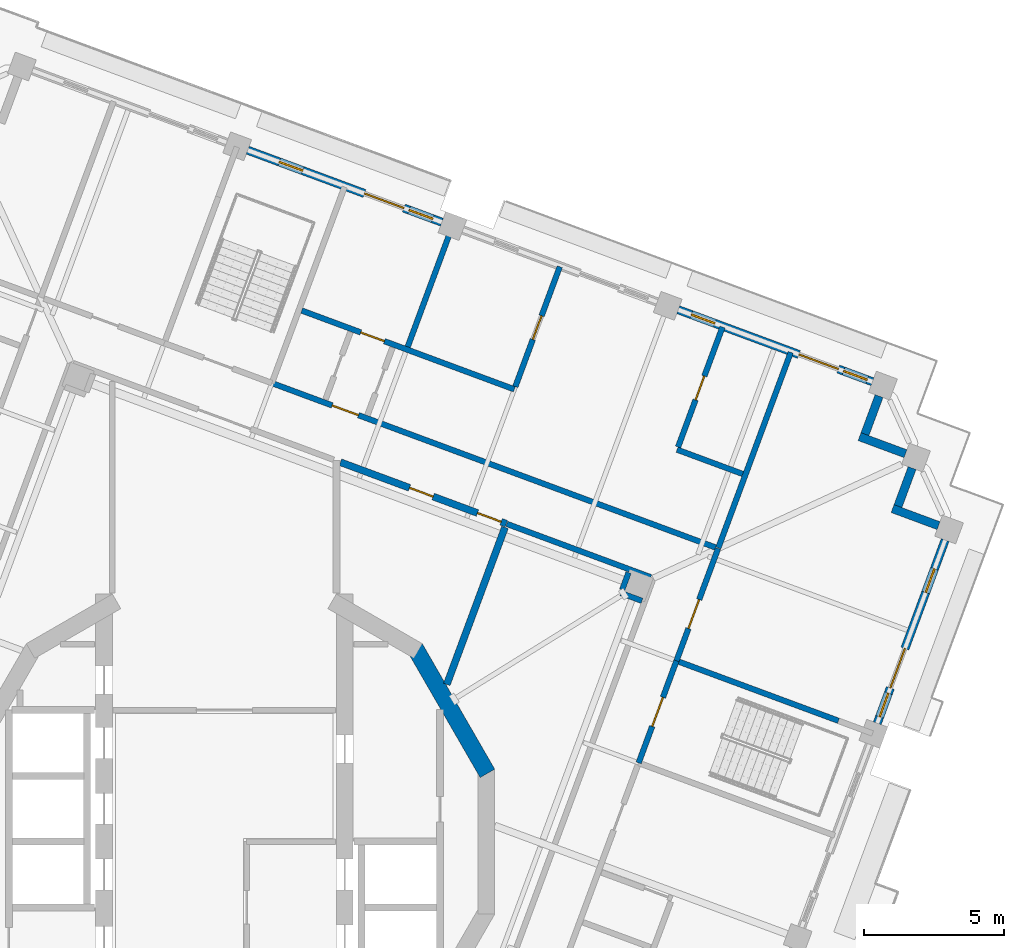
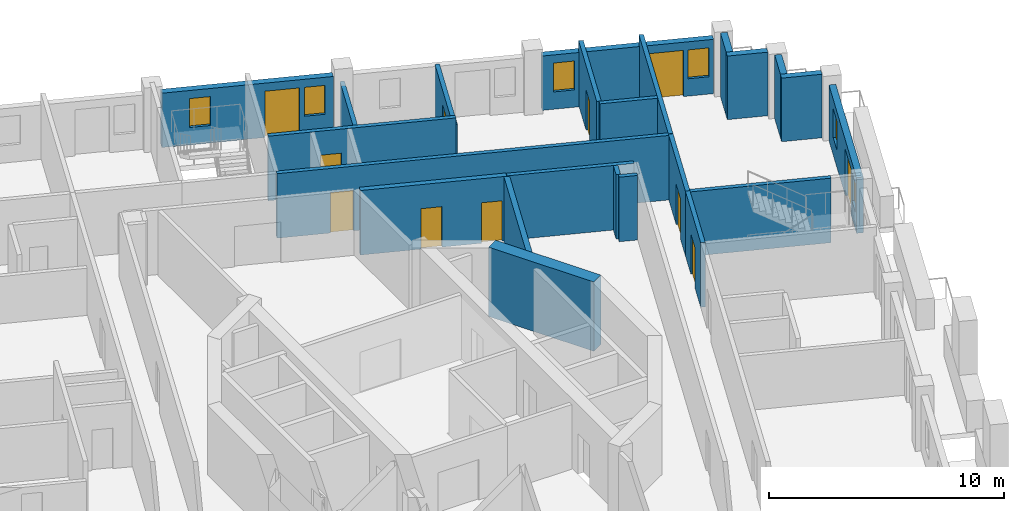
# One storey, part 10 of 19: 23 walls, 11 doors, 6 windows, 17 openings.
"""IFC4 building model written with IfcOpenShell, lengths in metres."""

from ifc_helpers import new_model, si_unit, direction, frame, frame_2d, origin, place, context, subcontext, project, spatial, rectangle, extrude, material, layer, layer_set, type_object, element, fill, save


model = new_model("IFC4")

# Units and contexts
model_context = context("Model", 3, precision=1e-05, world=origin(), true_north=direction((0.0, 1.0)))
body_context = subcontext(model_context, "Body", "Model", "MODEL_VIEW")
ifc_project = project(units=[si_unit("LENGTHUNIT", "METRE"), si_unit("AREAUNIT", "SQUARE_METRE"), si_unit("VOLUMEUNIT", "CUBIC_METRE"), si_unit("PLANEANGLEUNIT", "RADIAN"), si_unit("MASSUNIT", "GRAM", prefix="KILO")], contexts=[model_context])

# Site, building, storey
site_placement = place(None, origin())
site = spatial("IfcSite", under=ifc_project, at=site_placement, CompositionType="ELEMENT")
building_placement = place(site_placement, origin())
building = spatial("IfcBuilding", under=site, at=building_placement, Name="Cantera Rosa Tower", CompositionType="ELEMENT")
storey_placement = place(building_placement, frame((0.0, 0.0, 320.5)))
storey = spatial("IfcBuildingStorey", under=building, at=storey_placement, Name="L71", CompositionType="ELEMENT", Elevation=320.5)

# Wall
ifc_material_1 = material(Name="Gypsum board partition")
ifc_layer_1 = layer(ifc_material_1, 0.199951171875)
ifc_layer_set_1 = layer_set([ifc_layer_1], Name="CORRIDOR WALL 200 H3350")
wall_type_1 = type_object("IfcWallType", Name="CORRIDOR WALL 200 H3350", PredefinedType="PARTITIONING", material=ifc_layer_set_1)
wall_1_placement = place(storey_placement, frame((15.2314453125, 9.446044921875, 0.0), z_axis=(0.0, 0.0, 1.0), x_axis=(-0.93769339426, 0.347463808706, 0.0)))
element("IfcWall", 1, at=wall_1_placement, inside=storey, type_object=wall_type_1, Name="CORRIDOR WALL L71-097", PredefinedType="PARTITIONING", context=body_context, shape_type="SweptSolid", body=[
    extrude(rectangle(XDim=5.47998046875, YDim=0.199951171875, at=frame_2d((2.739990234375, 0.0))), origin(), (0.0, 0.0, 1.0), 3.35009765625),
])

# Wall, opening, door
wall_2_placement = place(storey_placement, frame((16.1513671875, 6.460205078125, 0.0), z_axis=(0.0, 0.0, 1.0), x_axis=(0.347438825371, 0.937702651497, 0.0)))
wall_2 = element("IfcWall", 2, at=wall_2_placement, inside=storey, type_object=wall_type_1, Name="CORRIDOR WALL L71-100", PredefinedType="PARTITIONING", context=body_context, shape_type="SweptSolid", body=[
    extrude(rectangle(XDim=4.280029296875, YDim=0.199951171875, at=frame_2d((2.14013671875, 0.0))), origin(), (0.0, 0.0, 1.0), 3.35009765625),
])
opening_1_placement = place(wall_2_placement, frame((1.22998046875, 0.0, 0.0)))
opening_1 = element("IfcOpeningElement", 3, at=opening_1_placement, cuts=wall_2, Name="Opening L71-046", PredefinedType="OPENING", context=body_context, shape_type="SweptSolid", body=[
    extrude(rectangle(XDim=1.10009765625, YDim=2.10009765625, at=frame_2d((0.550048828125, 1.050048828125))), frame((0.0, 0.10986328125, 0.0), z_axis=(0.0, -1.0, 0.0), x_axis=(1.0, 0.0, 0.0)), (0.0, 0.0, 1.0), 0.219970703125),
])
ifc_material_2 = material(Name="Timber door leaf", Category="wood")
door_type_1 = type_object("IfcDoorType", Name="ROOM DOOR 1100x2100", OperationType="NOTDEFINED", PredefinedType="DOOR", material=ifc_material_2)
door_1_placement = place(opening_1_placement, origin())
door_1 = element("IfcDoor", 4, at=door_1_placement, inside=storey, type_object=door_type_1, Name="DOOR L71-046", OperationType="NOTDEFINED", OverallHeight=2.10009765625, OverallWidth=1.10009765625, PredefinedType="DOOR", context=body_context, shape_type="SweptSolid", body=[
    extrude(rectangle(XDim=1.10009765625, YDim=2.10009765625, at=frame_2d((0.550048828125, 1.050048828125))), frame((0.0, 0.02490234375, 0.0), z_axis=(0.0, -1.0, 0.0), x_axis=(1.0, 0.0, 0.0)), (0.0, 0.0, 1.0), 0.050048828125),
])
fill(opening_1, door_1)

wall_3_placement = place(storey_placement, frame((17.544677734375, 10.50830078125, 0.0), z_axis=(0.0, 0.0, 1.0), x_axis=(-0.937684617113, 0.347487494493, 0.0)))
wall_3 = element("IfcWall", 5, at=wall_3_placement, inside=storey, type_object=wall_type_1, Name="CORRIDOR WALL L71-102", PredefinedType="PARTITIONING", context=body_context, shape_type="SweptSolid", body=[
    extrude(rectangle(XDim=16.900146484375, YDim=0.199951171875, at=frame_2d((8.4501953125, 0.0))), origin(), (0.0, 0.0, 1.0), 3.35009765625),
])
opening_2_placement = place(wall_3_placement, frame((13.60009765625, 0.0, 0.0)))
opening_2 = element("IfcOpeningElement", 6, at=opening_2_placement, cuts=wall_3, Name="Opening L71-020", PredefinedType="OPENING", context=body_context, shape_type="SweptSolid", body=[
    extrude(rectangle(XDim=1.0, YDim=2.10009765625, at=frame_2d((0.5, 1.050048828125))), frame((0.0, 0.10986328125, 0.0), z_axis=(0.0, -1.0, 0.0), x_axis=(1.0, 0.0, 0.0)), (0.0, 0.0, 1.0), 0.219970703125),
])
ifc_material_3 = material(Name="Timber door leaf", Category="wood")
door_type_2 = type_object("IfcDoorType", Name="ENTRANCE DOOR 1000x2100", OperationType="NOTDEFINED", PredefinedType="DOOR", material=ifc_material_3)
door_2_placement = place(opening_2_placement, origin())
door_2 = element("IfcDoor", 7, at=door_2_placement, inside=storey, type_object=door_type_2, Name="DOOR L71-020", OperationType="NOTDEFINED", OverallHeight=2.10009765625, OverallWidth=1.0, PredefinedType="DOOR", context=body_context, shape_type="SweptSolid", body=[
    extrude(rectangle(XDim=1.0, YDim=2.10009765625, at=frame_2d((0.5, 1.050048828125))), frame((0.0, 0.02490234375, 0.0), z_axis=(0.0, -1.0, 0.0), x_axis=(1.0, 0.0, 0.0)), (0.0, 0.0, 1.0), 0.050048828125),
])
fill(opening_2, door_2)

# Walls
ifc_material_4 = material(Name="Hollow clay masonry with cantera stone cladding", Category="masonry")
ifc_layer_2 = layer(ifc_material_4, 0.300048828125)
ifc_layer_set_2 = layer_set([ifc_layer_2], Name="EW-LOGGIA 300")
wall_type_2 = type_object("IfcWallType", Name="EW-LOGGIA 300", PredefinedType="SOLIDWALL", material=ifc_layer_set_2)
wall_4_placement = place(storey_placement, frame((25.51220703125, 11.288330078125, 0.0), z_axis=(0.0, 0.0, 1.0), x_axis=(-0.937669639538, 0.34752790836, 0.0)))
element("IfcWall", 8, at=wall_4_placement, inside=storey, type_object=wall_type_2, Name="EN-L71-W25a", PredefinedType="SOLIDWALL", context=body_context, shape_type="SweptSolid", body=[
    extrude(rectangle(XDim=1.75, YDim=0.300048828125, at=frame_2d((0.875, 0.0))), origin(), (0.0, 0.0, 1.0), 3.300048828125),
])
wall_5_placement = place(storey_placement, frame((24.06396484375, 11.985107421875, 0.0), z_axis=(0.0, 0.0, 1.0), x_axis=(0.347522732201, 0.937671557958, 0.0)))
element("IfcWall", 9, at=wall_5_placement, inside=storey, type_object=wall_type_2, Name="EN-L71-W25b", PredefinedType="SOLIDWALL", context=body_context, shape_type="SweptSolid", body=[
    extrude(rectangle(XDim=1.449951171875, YDim=0.300048828125, at=frame_2d((0.72509765625, 0.0))), origin(), (0.0, 0.0, 1.0), 3.300048828125),
])
wall_6_placement = place(storey_placement, frame((24.331787109375, 13.858642578125, 0.0), z_axis=(0.0, 0.0, 1.0), x_axis=(-0.937669639538, 0.34752790836, 0.0)))
element("IfcWall", 10, at=wall_6_placement, inside=storey, type_object=wall_type_2, Name="EN-L71-W26a", PredefinedType="SOLIDWALL", context=body_context, shape_type="SweptSolid", body=[
    extrude(rectangle(XDim=1.75, YDim=0.300048828125, at=frame_2d((0.875, 0.0))), origin(), (0.0, 0.0, 1.0), 3.300048828125),
])
wall_7_placement = place(storey_placement, frame((22.883544921875, 14.555419921875, 0.0), z_axis=(0.0, 0.0, 1.0), x_axis=(0.347522732201, 0.937671557958, 0.0)))
element("IfcWall", 11, at=wall_7_placement, inside=storey, type_object=wall_type_2, Name="EN-L71-W26b", PredefinedType="SOLIDWALL", context=body_context, shape_type="SweptSolid", body=[
    extrude(rectangle(XDim=1.449951171875, YDim=0.300048828125, at=frame_2d((0.72509765625, 0.0))), origin(), (0.0, 0.0, 1.0), 3.300048828125),
])

# Wall, openings, windows, door
ifc_material_5 = material(Name="Hollow clay masonry with cantera stone cladding", Category="masonry")
ifc_layer_3 = layer(ifc_material_5, 0.300048828125)
ifc_layer_set_3 = layer_set([ifc_layer_3], Name="EW-LOGGIA 300 H2820")
wall_type_3 = type_object("IfcWallType", Name="EW-LOGGIA 300 H2820", PredefinedType="SOLIDWALL", material=ifc_layer_set_3)
wall_8_placement = place(storey_placement, frame((23.1513671875, 16.428955078125, 0.0), z_axis=(0.0, 0.0, 1.0), x_axis=(-0.937676706507, 0.347508840281, 0.0)))
wall_8 = element("IfcWall", 12, at=wall_8_placement, inside=storey, type_object=wall_type_3, Name="EN-L71-W01", PredefinedType="SOLIDWALL", context=body_context, shape_type="SweptSolid", body=[
    extrude(rectangle(XDim=7.39990234375, YDim=0.300048828125, at=frame_2d((3.699951171875, 0.0))), origin(), (0.0, 0.0, 1.0), 2.820068359375),
])
opening_3_placement = place(wall_8_placement, frame((0.199951171875, 0.0, 0.89990234375)))
opening_3 = element("IfcOpeningElement", 13, at=opening_3_placement, cuts=wall_8, Name="Opening L71-W01", PredefinedType="OPENING", context=body_context, shape_type="SweptSolid", body=[
    extrude(rectangle(XDim=0.89990234375, YDim=1.5, at=frame_2d((0.449951171875, 0.75))), frame((0.0, 0.159912109375, 0.0), z_axis=(0.0, -1.0, 0.0), x_axis=(1.0, 0.0, 0.0)), (0.0, 0.0, 1.0), 0.320068359375),
])
opening_4_placement = place(wall_8_placement, frame((1.300048828125, 0.0, 0.0)))
opening_4 = element("IfcOpeningElement", 14, at=opening_4_placement, cuts=wall_8, Name="Opening L71-TD02", PredefinedType="OPENING", context=body_context, shape_type="SweptSolid", body=[
    extrude(rectangle(XDim=1.5, YDim=2.39990234375, at=frame_2d((0.75, 1.199951171875))), frame((0.0, 0.159912109375, 0.0), z_axis=(0.0, -1.0, 0.0), x_axis=(1.0, 0.0, 0.0)), (0.0, 0.0, 1.0), 0.320068359375),
])
opening_5_placement = place(wall_8_placement, frame((6.0, 0.0, 0.89990234375)))
opening_5 = element("IfcOpeningElement", 15, at=opening_5_placement, cuts=wall_8, Name="Opening L71-W03", PredefinedType="OPENING", context=body_context, shape_type="SweptSolid", body=[
    extrude(rectangle(XDim=0.89990234375, YDim=1.5, at=frame_2d((0.449951171875, 0.75))), frame((0.0, 0.159912109375, 0.0), z_axis=(0.0, -1.0, 0.0), x_axis=(1.0, 0.0, 0.0)), (0.0, 0.0, 1.0), 0.320068359375),
])
ifc_material_6 = material(Name="Aluminium frame with clear glass", Category="aluminium")
window_type = type_object("IfcWindowType", Name="Residential window 900x1500", PartitioningType="SINGLE_PANEL", PredefinedType="WINDOW", material=ifc_material_6)
window_1_placement = place(opening_3_placement, origin())
window_1 = element("IfcWindow", 16, at=window_1_placement, inside=storey, type_object=window_type, Name="WINDOW L71-W01", OverallHeight=1.5, OverallWidth=0.89990234375, PartitioningType="SINGLE_PANEL", PredefinedType="WINDOW", context=body_context, shape_type="SweptSolid", body=[
    extrude(rectangle(XDim=0.89990234375, YDim=1.5, at=frame_2d((0.449951171875, 0.75))), frame((0.0, 0.030029296875, 0.0), z_axis=(0.0, -1.0, 0.0), x_axis=(1.0, 0.0, 0.0)), (0.0, 0.0, 1.0), 0.06005859375),
])
fill(opening_3, window_1)
window_2_placement = place(opening_5_placement, origin())
window_2 = element("IfcWindow", 17, at=window_2_placement, inside=storey, type_object=window_type, Name="WINDOW L71-W03", OverallHeight=1.5, OverallWidth=0.89990234375, PartitioningType="SINGLE_PANEL", PredefinedType="WINDOW", context=body_context, shape_type="SweptSolid", body=[
    extrude(rectangle(XDim=0.89990234375, YDim=1.5, at=frame_2d((0.449951171875, 0.75))), frame((0.0, 0.030029296875, 0.0), z_axis=(0.0, -1.0, 0.0), x_axis=(1.0, 0.0, 0.0)), (0.0, 0.0, 1.0), 0.06005859375),
])
fill(opening_5, window_2)
ifc_material_7 = material(Name="Aluminium frame with clear glass", Category="aluminium")
door_type_3 = type_object("IfcDoorType", Name="TD-R 1500x2400", OperationType="NOTDEFINED", PredefinedType="DOOR", material=ifc_material_7)
door_3_placement = place(opening_4_placement, origin())
door_3 = element("IfcDoor", 18, at=door_3_placement, inside=storey, type_object=door_type_3, Name="LOGGIA DOOR L71-TD02", OperationType="SLIDING_TO_LEFT", OverallHeight=2.39990234375, OverallWidth=1.5, PredefinedType="DOOR", context=body_context, shape_type="SweptSolid", body=[
    extrude(rectangle(XDim=1.5, YDim=2.39990234375, at=frame_2d((0.75, 1.199951171875))), frame((0.0, 0.02490234375, 0.0), z_axis=(0.0, -1.0, 0.0), x_axis=(1.0, 0.0, 0.0)), (0.0, 0.0, 1.0), 0.050048828125),
])
fill(opening_4, door_3)

wall_9_placement = place(storey_placement, frame((7.7734375, 22.127685546875, 0.0), z_axis=(0.0, 0.0, 1.0), x_axis=(-0.937680690562, 0.34749808999, 0.0)))
wall_9 = element("IfcWall", 19, at=wall_9_placement, inside=storey, type_object=wall_type_3, Name="EN-L71-W03", PredefinedType="SOLIDWALL", context=body_context, shape_type="SweptSolid", body=[
    extrude(rectangle(XDim=7.400146484375, YDim=0.300048828125, at=frame_2d((3.7001953125, 0.0))), origin(), (0.0, 0.0, 1.0), 2.820068359375),
])
opening_6_placement = place(wall_9_placement, frame((0.35009765625, 0.0, 0.89990234375)))
opening_6 = element("IfcOpeningElement", 20, at=opening_6_placement, cuts=wall_9, Name="Opening L71-W07", PredefinedType="OPENING", context=body_context, shape_type="SweptSolid", body=[
    extrude(rectangle(XDim=0.89990234375, YDim=1.5, at=frame_2d((0.449951171875, 0.75))), frame((0.0, 0.159912109375, 0.0), z_axis=(0.0, -1.0, 0.0), x_axis=(1.0, 0.0, 0.0)), (0.0, 0.0, 1.0), 0.320068359375),
])
opening_7_placement = place(wall_9_placement, frame((1.449951171875, 0.0, 0.0)))
opening_7 = element("IfcOpeningElement", 21, at=opening_7_placement, cuts=wall_9, Name="Opening L71-TD08", PredefinedType="OPENING", context=body_context, shape_type="SweptSolid", body=[
    extrude(rectangle(XDim=1.5, YDim=2.39990234375, at=frame_2d((0.75, 1.199951171875))), frame((0.0, 0.159912109375, 0.0), z_axis=(0.0, -1.0, 0.0), x_axis=(1.0, 0.0, 0.0)), (0.0, 0.0, 1.0), 0.320068359375),
])
opening_8_placement = place(wall_9_placement, frame((5.300048828125, 0.0, 0.89990234375)))
opening_8 = element("IfcOpeningElement", 22, at=opening_8_placement, cuts=wall_9, Name="Opening L71-W09", PredefinedType="OPENING", context=body_context, shape_type="SweptSolid", body=[
    extrude(rectangle(XDim=0.89990234375, YDim=1.5, at=frame_2d((0.449951171875, 0.75))), frame((0.0, 0.159912109375, 0.0), z_axis=(0.0, -1.0, 0.0), x_axis=(1.0, 0.0, 0.0)), (0.0, 0.0, 1.0), 0.320068359375),
])
window_3_placement = place(opening_6_placement, origin())
window_3 = element("IfcWindow", 23, at=window_3_placement, inside=storey, type_object=window_type, Name="WINDOW L71-W07", OverallHeight=1.5, OverallWidth=0.89990234375, PartitioningType="SINGLE_PANEL", PredefinedType="WINDOW", context=body_context, shape_type="SweptSolid", body=[
    extrude(rectangle(XDim=0.89990234375, YDim=1.5, at=frame_2d((0.449951171875, 0.75))), frame((0.0, 0.030029296875, 0.0), z_axis=(0.0, -1.0, 0.0), x_axis=(1.0, 0.0, 0.0)), (0.0, 0.0, 1.0), 0.06005859375),
])
fill(opening_6, window_3)
window_4_placement = place(opening_8_placement, origin())
window_4 = element("IfcWindow", 24, at=window_4_placement, inside=storey, type_object=window_type, Name="WINDOW L71-W09", OverallHeight=1.5, OverallWidth=0.89990234375, PartitioningType="SINGLE_PANEL", PredefinedType="WINDOW", context=body_context, shape_type="SweptSolid", body=[
    extrude(rectangle(XDim=0.89990234375, YDim=1.5, at=frame_2d((0.449951171875, 0.75))), frame((0.0, 0.030029296875, 0.0), z_axis=(0.0, -1.0, 0.0), x_axis=(1.0, 0.0, 0.0)), (0.0, 0.0, 1.0), 0.06005859375),
])
fill(opening_8, window_4)
door_4_placement = place(opening_7_placement, origin())
door_4 = element("IfcDoor", 25, at=door_4_placement, inside=storey, type_object=door_type_3, Name="LOGGIA DOOR L71-TD08", OperationType="SLIDING_TO_LEFT", OverallHeight=2.39990234375, OverallWidth=1.5, PredefinedType="DOOR", context=body_context, shape_type="SweptSolid", body=[
    extrude(rectangle(XDim=1.5, YDim=2.39990234375, at=frame_2d((0.75, 1.199951171875))), frame((0.0, 0.02490234375, 0.0), z_axis=(0.0, -1.0, 0.0), x_axis=(1.0, 0.0, 0.0)), (0.0, 0.0, 1.0), 0.050048828125),
])
fill(opening_7, door_4)

ifc_material_8 = material(Name="Hollow clay masonry with cantera stone cladding", Category="masonry")
ifc_layer_4 = layer(ifc_material_8, 0.300048828125)
ifc_layer_set_4 = layer_set([ifc_layer_4], Name="EW-LOGGIA 300 H2890")
wall_type_4 = type_object("IfcWallType", Name="EW-LOGGIA 300 H2890", PredefinedType="SOLIDWALL", material=ifc_layer_set_4)
wall_10_placement = place(storey_placement, frame((23.322998046875, 4.229248046875, 0.0), z_axis=(0.0, 0.0, 1.0), x_axis=(0.347460165909, 0.937694744097, 0.0)))
wall_10 = element("IfcWall", 26, at=wall_10_placement, inside=storey, type_object=wall_type_4, Name="EN-L71-W24", PredefinedType="SOLIDWALL", context=body_context, shape_type="SweptSolid", body=[
    extrude(rectangle(XDim=6.97998046875, YDim=0.300048828125, at=frame_2d((3.489990234375, 0.0))), origin(), (0.0, 0.0, 1.0), 2.889892578125),
])
opening_9_placement = place(wall_10_placement, frame((0.2451171875, 0.0, 0.89990234375)))
opening_9 = element("IfcOpeningElement", 27, at=opening_9_placement, cuts=wall_10, Name="Opening L71-W46", PredefinedType="OPENING", context=body_context, shape_type="SweptSolid", body=[
    extrude(rectangle(XDim=0.89990234375, YDim=1.5, at=frame_2d((0.449951171875, 0.75))), frame((0.0, 0.159912109375, 0.0), z_axis=(0.0, -1.0, 0.0), x_axis=(1.0, 0.0, 0.0)), (0.0, 0.0, 1.0), 0.320068359375),
])
opening_10_placement = place(wall_10_placement, frame((1.344970703125, 0.0, 0.0)))
opening_10 = element("IfcOpeningElement", 28, at=opening_10_placement, cuts=wall_10, Name="Opening L71-TD47", PredefinedType="OPENING", context=body_context, shape_type="SweptSolid", body=[
    extrude(rectangle(XDim=1.5, YDim=2.39990234375, at=frame_2d((0.75, 1.199951171875))), frame((0.0, 0.159912109375, 0.0), z_axis=(0.0, -1.0, 0.0), x_axis=(1.0, 0.0, 0.0)), (0.0, 0.0, 1.0), 0.320068359375),
])
opening_11_placement = place(wall_10_placement, frame((4.985107421875, 0.0, 0.89990234375)))
opening_11 = element("IfcOpeningElement", 29, at=opening_11_placement, cuts=wall_10, Name="Opening L71-W48", PredefinedType="OPENING", context=body_context, shape_type="SweptSolid", body=[
    extrude(rectangle(XDim=0.89990234375, YDim=1.5, at=frame_2d((0.449951171875, 0.75))), frame((0.0, 0.159912109375, 0.0), z_axis=(0.0, -1.0, 0.0), x_axis=(1.0, 0.0, 0.0)), (0.0, 0.0, 1.0), 0.320068359375),
])
window_5_placement = place(opening_9_placement, origin())
window_5 = element("IfcWindow", 30, at=window_5_placement, inside=storey, type_object=window_type, Name="WINDOW L71-W46", OverallHeight=1.5, OverallWidth=0.89990234375, PartitioningType="SINGLE_PANEL", PredefinedType="WINDOW", context=body_context, shape_type="SweptSolid", body=[
    extrude(rectangle(XDim=0.89990234375, YDim=1.5, at=frame_2d((0.449951171875, 0.75))), frame((0.0, 0.030029296875, 0.0), z_axis=(0.0, -1.0, 0.0), x_axis=(1.0, 0.0, 0.0)), (0.0, 0.0, 1.0), 0.06005859375),
])
fill(opening_9, window_5)
window_6_placement = place(opening_11_placement, origin())
window_6 = element("IfcWindow", 31, at=window_6_placement, inside=storey, type_object=window_type, Name="WINDOW L71-W48", OverallHeight=1.5, OverallWidth=0.89990234375, PartitioningType="SINGLE_PANEL", PredefinedType="WINDOW", context=body_context, shape_type="SweptSolid", body=[
    extrude(rectangle(XDim=0.89990234375, YDim=1.5, at=frame_2d((0.449951171875, 0.75))), frame((0.0, 0.030029296875, 0.0), z_axis=(0.0, -1.0, 0.0), x_axis=(1.0, 0.0, 0.0)), (0.0, 0.0, 1.0), 0.06005859375),
])
fill(opening_11, window_6)
door_5_placement = place(opening_10_placement, origin())
door_5 = element("IfcDoor", 32, at=door_5_placement, inside=storey, type_object=door_type_3, Name="LOGGIA DOOR L71-TD47", OperationType="SLIDING_TO_LEFT", OverallHeight=2.39990234375, OverallWidth=1.5, PredefinedType="DOOR", context=body_context, shape_type="SweptSolid", body=[
    extrude(rectangle(XDim=1.5, YDim=2.39990234375, at=frame_2d((0.75, 1.199951171875))), frame((0.0, 0.02490234375, 0.0), z_axis=(0.0, -1.0, 0.0), x_axis=(1.0, 0.0, 0.0)), (0.0, 0.0, 1.0), 0.050048828125),
])
fill(opening_10, door_5)

# Wall
ifc_material_9 = material(Name="Gypsum board partition")
ifc_layer_5 = layer(ifc_material_9, 0.199951171875)
ifc_layer_set_5 = layer_set([ifc_layer_5], Name="PARTITION 200 H2450")
wall_type_5 = type_object("IfcWallType", Name="PARTITION 200 H2450", PredefinedType="PARTITIONING", material=ifc_layer_set_5)
wall_11_placement = place(storey_placement, frame((8.137939453125, 21.960693359375, 0.0), z_axis=(0.0, 0.0, 1.0), x_axis=(-0.347450063389, -0.937698487495, 0.0)))
element("IfcWall", 33, at=wall_11_placement, inside=storey, type_object=wall_type_5, Name="PARTITION L71-085", PredefinedType="PARTITIONING", context=body_context, shape_type="SweptSolid", body=[
    extrude(rectangle(XDim=4.570068359375, YDim=0.199951171875, at=frame_2d((2.28515625, 0.0))), origin(), (0.0, 0.0, 1.0), 2.449951171875),
])

# Wall, opening, door
ifc_material_10 = material(Name="Gypsum board partition")
ifc_layer_6 = layer(ifc_material_10, 0.199951171875)
ifc_layer_set_6 = layer_set([ifc_layer_6], Name="PARTITION 200 H2850")
wall_type_6 = type_object("IfcWallType", Name="PARTITION 200 H2850", PredefinedType="PARTITIONING", material=ifc_layer_set_6)
wall_12_placement = place(storey_placement, frame((11.982421875, 20.535888671875, 0.0), z_axis=(0.0, 0.0, 1.0), x_axis=(-0.347467468938, -0.937692037947, 0.0)))
wall_12 = element("IfcWall", 34, at=wall_12_placement, inside=storey, type_object=wall_type_6, Name="PARTITION L71-089", PredefinedType="PARTITIONING", context=body_context, shape_type="SweptSolid", body=[
    extrude(rectangle(XDim=4.56982421875, YDim=0.199951171875, at=frame_2d((2.284912109375, 0.0))), origin(), (0.0, 0.0, 1.0), 2.85009765625),
])
opening_12_placement = place(wall_12_placement, frame((1.8701171875, 0.0, 0.0)))
opening_12 = element("IfcOpeningElement", 35, at=opening_12_placement, cuts=wall_12, Name="Opening L71-024", PredefinedType="OPENING", context=body_context, shape_type="SweptSolid", body=[
    extrude(rectangle(XDim=0.89990234375, YDim=2.10009765625, at=frame_2d((0.449951171875, 1.050048828125))), frame((0.0, 0.10986328125, 0.0), z_axis=(0.0, -1.0, 0.0), x_axis=(1.0, 0.0, 0.0)), (0.0, 0.0, 1.0), 0.219970703125),
])
ifc_material_11 = material(Name="Timber door leaf", Category="wood")
door_type_4 = type_object("IfcDoorType", Name="ROOM DOOR 900x2100", OperationType="NOTDEFINED", PredefinedType="DOOR", material=ifc_material_11)
door_6_placement = place(opening_12_placement, origin())
door_6 = element("IfcDoor", 36, at=door_6_placement, inside=storey, type_object=door_type_4, Name="DOOR L71-024", OperationType="NOTDEFINED", OverallHeight=2.10009765625, OverallWidth=0.89990234375, PredefinedType="DOOR", context=body_context, shape_type="SweptSolid", body=[
    extrude(rectangle(XDim=0.89990234375, YDim=2.10009765625, at=frame_2d((0.449951171875, 1.050048828125))), frame((0.0, 0.02490234375, 0.0), z_axis=(0.0, -1.0, 0.0), x_axis=(1.0, 0.0, 0.0)), (0.0, 0.0, 1.0), 0.050048828125),
])
fill(opening_12, door_6)

ifc_material_12 = material(Name="Gypsum board partition")
ifc_layer_7 = layer(ifc_material_12, 0.199951171875)
ifc_layer_set_7 = layer_set([ifc_layer_7], Name="PARTITION 200 H3350")
wall_type_7 = type_object("IfcWallType", Name="PARTITION 200 H3350", PredefinedType="PARTITIONING", material=ifc_layer_set_7)
wall_13_placement = place(storey_placement, frame((2.764404296875, 18.9716796875, 0.0), z_axis=(0.0, 0.0, 1.0), x_axis=(0.937685847618, -0.347484173996, 0.0)))
wall_13 = element("IfcWall", 37, at=wall_13_placement, inside=storey, type_object=wall_type_7, Name="PARTITION L71-064", PredefinedType="PARTITIONING", context=body_context, shape_type="SweptSolid", body=[
    extrude(rectangle(XDim=8.10009765625, YDim=0.199951171875, at=frame_2d((4.050048828125, 0.0))), origin(), (0.0, 0.0, 1.0), 3.35009765625),
])
opening_13_placement = place(wall_13_placement, frame((2.25, 0.0, 0.0)))
opening_13 = element("IfcOpeningElement", 38, at=opening_13_placement, cuts=wall_13, Name="Opening L71-023", PredefinedType="OPENING", context=body_context, shape_type="SweptSolid", body=[
    extrude(rectangle(XDim=0.89990234375, YDim=2.10009765625, at=frame_2d((0.449951171875, 1.050048828125))), frame((0.0, 0.10986328125, 0.0), z_axis=(0.0, -1.0, 0.0), x_axis=(1.0, 0.0, 0.0)), (0.0, 0.0, 1.0), 0.219970703125),
])
door_7_placement = place(opening_13_placement, origin())
door_7 = element("IfcDoor", 39, at=door_7_placement, inside=storey, type_object=door_type_4, Name="DOOR L71-023", OperationType="NOTDEFINED", OverallHeight=2.10009765625, OverallWidth=0.89990234375, PredefinedType="DOOR", context=body_context, shape_type="SweptSolid", body=[
    extrude(rectangle(XDim=0.89990234375, YDim=2.10009765625, at=frame_2d((0.449951171875, 1.050048828125))), frame((0.0, 0.02490234375, 0.0), z_axis=(0.0, -1.0, 0.0), x_axis=(1.0, 0.0, 0.0)), (0.0, 0.0, 1.0), 0.050048828125),
])
fill(opening_13, door_7)

# Walls
wall_14_placement = place(storey_placement, frame((14.16845703125, 8.8798828125, 0.0), z_axis=(0.0, 0.0, 1.0), x_axis=(0.937763484234, -0.347274599759, 0.0)))
element("IfcWall", 40, at=wall_14_placement, inside=storey, type_object=wall_type_7, Name="PARTITION L71-093", PredefinedType="PARTITIONING", context=body_context, shape_type="SweptSolid", body=[
    extrude(rectangle(XDim=0.800048828125, YDim=0.199951171875, at=frame_2d((0.39990234375, 0.0))), origin(), (0.0, 0.0, 1.0), 3.35009765625),
])
wall_15_placement = place(storey_placement, frame((14.439697265625, 9.611328125, 0.0), z_axis=(0.0, 0.0, 1.0), x_axis=(-0.347796331394, -0.937570110375, 0.0)))
element("IfcWall", 41, at=wall_15_placement, inside=storey, type_object=wall_type_7, Name="PARTITION L71-094", PredefinedType="PARTITIONING", context=body_context, shape_type="SweptSolid", body=[
    extrude(rectangle(XDim=0.659912109375, YDim=0.199951171875, at=frame_2d((0.330078125, 0.0))), origin(), (0.0, 0.0, 1.0), 3.35009765625),
])
wall_16_placement = place(storey_placement, frame((16.17333984375, 14.002685546875, 0.0), z_axis=(0.0, 0.0, 1.0), x_axis=(0.937662740925, -0.347546521032, 0.0)))
element("IfcWall", 42, at=wall_16_placement, inside=storey, type_object=wall_type_7, Name="PARTITION L71-101", PredefinedType="PARTITIONING", context=body_context, shape_type="SweptSolid", body=[
    extrude(rectangle(XDim=2.5, YDim=0.199951171875, at=frame_2d((1.25, 0.0))), origin(), (0.0, 0.0, 1.0), 3.35009765625),
])

# Wall, opening, door
wall_17_placement = place(storey_placement, frame((17.796142578125, 18.381591796875, 0.0), z_axis=(0.0, 0.0, 1.0), x_axis=(-0.347450063389, -0.937698487495, 0.0)))
wall_17 = element("IfcWall", 43, at=wall_17_placement, inside=storey, type_object=wall_type_7, Name="PARTITION L71-103", PredefinedType="PARTITIONING", context=body_context, shape_type="SweptSolid", body=[
    extrude(rectangle(XDim=4.570068359375, YDim=0.199951171875, at=frame_2d((2.28515625, 0.0))), origin(), (0.0, 0.0, 1.0), 3.35009765625),
])
opening_14_placement = place(wall_17_placement, frame((1.8701171875, 0.0, 0.0)))
opening_14 = element("IfcOpeningElement", 44, at=opening_14_placement, cuts=wall_17, Name="Opening L71-025", PredefinedType="OPENING", context=body_context, shape_type="SweptSolid", body=[
    extrude(rectangle(XDim=0.89990234375, YDim=2.10009765625, at=frame_2d((0.449951171875, 1.050048828125))), frame((0.0, 0.10986328125, 0.0), z_axis=(0.0, -1.0, 0.0), x_axis=(1.0, 0.0, 0.0)), (0.0, 0.0, 1.0), 0.219970703125),
])
door_8_placement = place(opening_14_placement, origin())
door_8 = element("IfcDoor", 45, at=door_8_placement, inside=storey, type_object=door_type_4, Name="DOOR L71-025", OperationType="NOTDEFINED", OverallHeight=2.10009765625, OverallWidth=0.89990234375, PredefinedType="DOOR", context=body_context, shape_type="SweptSolid", body=[
    extrude(rectangle(XDim=0.89990234375, YDim=2.10009765625, at=frame_2d((0.449951171875, 1.050048828125))), frame((0.0, 0.02490234375, 0.0), z_axis=(0.0, -1.0, 0.0), x_axis=(1.0, 0.0, 0.0)), (0.0, 0.0, 1.0), 0.050048828125),
])
fill(opening_14, door_8)

# Walls
ifc_material_13 = material(Name="Gypsum board partition")
ifc_layer_8 = layer(ifc_material_13, 0.199951171875)
ifc_layer_set_8 = layer_set([ifc_layer_8], Name="PARTY WALL 200 H3350")
wall_type_8 = type_object("IfcWallType", Name="PARTY WALL 200 H3350", PredefinedType="PARTITIONING", material=ifc_layer_set_8)
wall_18_placement = place(storey_placement, frame((20.234130859375, 17.47802734375, 0.0), z_axis=(0.0, 0.0, 1.0), x_axis=(-0.347475519739, -0.937689054635, 0.0)))
element("IfcWall", 46, at=wall_18_placement, inside=storey, type_object=wall_type_8, Name="PARTY WALL L71-104", PredefinedType="PARTITIONING", context=body_context, shape_type="SweptSolid", body=[
    extrude(rectangle(XDim=7.44970703125, YDim=0.199951171875, at=frame_2d((3.724853515625, 0.0))), origin(), (0.0, 0.0, 1.0), 3.35009765625),
])
ifc_material_14 = material(Name="Concrete C50/60", Category="concrete")
ifc_layer_9 = layer(ifc_material_14, 0.60009765625)
ifc_layer_set_9 = layer_set([ifc_layer_9], Name="RC CORE WALL 600 C50/60")
wall_type_9 = type_object("IfcWallType", Name="RC CORE WALL 600 C50/60", PredefinedType="SHEAR", material=ifc_layer_set_9)
wall_19_placement = place(storey_placement, frame((6.811279296875, 6.921142578125, 0.0), z_axis=(0.0, 0.0, 1.0), x_axis=(0.499989188378, -0.866031645787, 0.0)))
element("IfcWall", 47, at=wall_19_placement, inside=storey, type_object=wall_type_9, Name="CW-E2 L71", PredefinedType="SHEAR", context=body_context, shape_type="SweptSolid", body=[
    extrude(rectangle(XDim=5.17626953125, YDim=0.60009765625, at=frame_2d((2.588134765625, 0.0))), origin(), (0.0, 0.0, 1.0), 3.60009765625),
])
ifc_material_15 = material(Name="Masonry blockwork", Category="masonry")
ifc_layer_10 = layer(ifc_material_15, 0.25)
ifc_layer_set_10 = layer_set([ifc_layer_10], Name="SHAFT WALL 250 H3350")
wall_type_10 = type_object("IfcWallType", Name="SHAFT WALL 250 H3350", PredefinedType="SOLIDWALL", material=ifc_layer_set_10)
wall_20_placement = place(storey_placement, frame((7.9462890625, 5.614990234375, 0.0), z_axis=(0.0, 0.0, 1.0), x_axis=(0.347463184848, 0.937693625432, 0.0)))
element("IfcWall", 48, at=wall_20_placement, inside=storey, type_object=wall_type_10, Name="SHAFT WALL L71-084", PredefinedType="SOLIDWALL", context=body_context, shape_type="SweptSolid", body=[
    extrude(rectangle(XDim=5.983642578125, YDim=0.25, at=frame_2d((2.99169921875, 0.0))), origin(), (0.0, 0.0, 1.0), 3.35009765625),
])

# Wall, openings, doors
wall_21_placement = place(storey_placement, frame((10.07421875, 11.357177734375, 0.0), z_axis=(0.0, 0.0, 1.0), x_axis=(-0.937690947625, 0.347470411318, 0.0)))
wall_21 = element("IfcWall", 49, at=wall_21_placement, inside=storey, type_object=wall_type_10, Name="SHAFT WALL L71-087", PredefinedType="SOLIDWALL", context=body_context, shape_type="SweptSolid", body=[
    extrude(rectangle(XDim=6.31787109375, YDim=0.25, at=frame_2d((3.158935546875, 0.0))), origin(), (0.0, 0.0, 1.0), 3.35009765625),
])
opening_15_placement = place(wall_21_placement, frame((0.19775390625, 0.0, 0.0)))
opening_15 = element("IfcOpeningElement", 50, at=opening_15_placement, cuts=wall_21, Name="Opening L71-008", PredefinedType="OPENING", context=body_context, shape_type="SweptSolid", body=[
    extrude(rectangle(XDim=0.89990234375, YDim=2.10009765625, at=frame_2d((0.449951171875, 1.050048828125))), frame((0.0, 0.135009765625, 0.0), z_axis=(0.0, -1.0, 0.0), x_axis=(1.0, 0.0, 0.0)), (0.0, 0.0, 1.0), 0.27001953125),
])
opening_16_placement = place(wall_21_placement, frame((2.788818359375, 0.0, 0.0)))
opening_16 = element("IfcOpeningElement", 51, at=opening_16_placement, cuts=wall_21, Name="Opening L71-047", PredefinedType="OPENING", context=body_context, shape_type="SweptSolid", body=[
    extrude(rectangle(XDim=0.89990234375, YDim=2.10009765625, at=frame_2d((0.449951171875, 1.050048828125))), frame((0.0, 0.135009765625, 0.0), z_axis=(0.0, -1.0, 0.0), x_axis=(1.0, 0.0, 0.0)), (0.0, 0.0, 1.0), 0.27001953125),
])
ifc_material_16 = material(Name="Timber door leaf", Category="wood")
door_type_5 = type_object("IfcDoorType", Name="SERVICE DOOR 900x2100", OperationType="NOTDEFINED", PredefinedType="DOOR", material=ifc_material_16)
door_9_placement = place(opening_15_placement, origin())
door_9 = element("IfcDoor", 52, at=door_9_placement, inside=storey, type_object=door_type_5, Name="RISER DOOR L71-008", OperationType="NOTDEFINED", OverallHeight=2.10009765625, OverallWidth=0.89990234375, PredefinedType="DOOR", context=body_context, shape_type="SweptSolid", body=[
    extrude(rectangle(XDim=0.89990234375, YDim=2.10009765625, at=frame_2d((0.449951171875, 1.050048828125))), frame((0.0, 0.02490234375, 0.0), z_axis=(0.0, -1.0, 0.0), x_axis=(1.0, 0.0, 0.0)), (0.0, 0.0, 1.0), 0.050048828125),
])
fill(opening_15, door_9)
door_10_placement = place(opening_16_placement, origin())
door_10 = element("IfcDoor", 53, at=door_10_placement, inside=storey, type_object=door_type_5, Name="RISER DOOR L71-047", OperationType="NOTDEFINED", OverallHeight=2.10009765625, OverallWidth=0.89990234375, PredefinedType="DOOR", context=body_context, shape_type="SweptSolid", body=[
    extrude(rectangle(XDim=0.89990234375, YDim=2.10009765625, at=frame_2d((0.449951171875, 1.050048828125))), frame((0.0, 0.02490234375, 0.0), z_axis=(0.0, -1.0, 0.0), x_axis=(1.0, 0.0, 0.0)), (0.0, 0.0, 1.0), 0.050048828125),
])
fill(opening_16, door_10)

# Wall, opening, door
ifc_material_17 = material(Name="Concrete C50/60", Category="concrete")
ifc_layer_11 = layer(ifc_material_17, 0.199951171875)
ifc_layer_set_11 = layer_set([ifc_layer_11], Name="STAIR WALL 200 H3350")
wall_type_11 = type_object("IfcWallType", Name="STAIR WALL 200 H3350", PredefinedType="SOLIDWALL", material=ifc_layer_set_11)
wall_22_placement = place(storey_placement, frame((16.1513671875, 6.460205078125, 0.0), z_axis=(0.0, 0.0, 1.0), x_axis=(-0.347516717491, -0.937673787126, 0.0)))
wall_22 = element("IfcWall", 54, at=wall_22_placement, inside=storey, type_object=wall_type_11, Name="STAIR WALL L71-099", PredefinedType="SOLIDWALL", context=body_context, shape_type="SweptSolid", body=[
    extrude(rectangle(XDim=3.889892578125, YDim=0.199951171875, at=frame_2d((1.94482421875, 0.0))), origin(), (0.0, 0.0, 1.0), 3.35009765625),
])
opening_17_placement = place(wall_22_placement, frame((1.39501953125, 0.0, 0.0)))
opening_17 = element("IfcOpeningElement", 55, at=opening_17_placement, cuts=wall_22, Name="Opening L71-001", PredefinedType="OPENING", context=body_context, shape_type="SweptSolid", body=[
    extrude(rectangle(XDim=1.10009765625, YDim=2.10009765625, at=frame_2d((0.550048828125, 1.050048828125))), frame((0.0, 0.10986328125, 0.0), z_axis=(0.0, -1.0, 0.0), x_axis=(1.0, 0.0, 0.0)), (0.0, 0.0, 1.0), 0.219970703125),
])
ifc_material_18 = material(Name="Steel S355J2 (EN 10025-2)", Category="steel")
door_type_6 = type_object("IfcDoorType", Name="STAIR DOOR 1100x2100", OperationType="NOTDEFINED", PredefinedType="DOOR", material=ifc_material_18)
door_11_placement = place(opening_17_placement, origin())
door_11 = element("IfcDoor", 56, at=door_11_placement, inside=storey, type_object=door_type_6, Name="DOOR L71-001", OperationType="NOTDEFINED", OverallHeight=2.10009765625, OverallWidth=1.10009765625, PredefinedType="DOOR", context=body_context, shape_type="SweptSolid", body=[
    extrude(rectangle(XDim=1.10009765625, YDim=2.10009765625, at=frame_2d((0.550048828125, 1.050048828125))), frame((0.0, 0.02490234375, 0.0), z_axis=(0.0, -1.0, 0.0), x_axis=(1.0, 0.0, 0.0)), (0.0, 0.0, 1.0), 0.050048828125),
])
fill(opening_17, door_11)

# Wall
wall_23_placement = place(storey_placement, frame((21.936767578125, 4.31640625, 0.0), z_axis=(0.0, 0.0, 1.0), x_axis=(-0.937692901762, 0.347465137797, 0.0)))
element("IfcWall", 57, at=wall_23_placement, inside=storey, type_object=wall_type_11, Name="STAIR WALL L71-105 J", PredefinedType="SOLIDWALL", context=body_context, shape_type="SweptSolid", body=[
    extrude(rectangle(XDim=6.169921875, YDim=0.199951171875, at=frame_2d((3.0849609375, 0.0))), origin(), (0.0, 0.0, 1.0), 3.35009765625),
])

save(model, "model.ifc")
